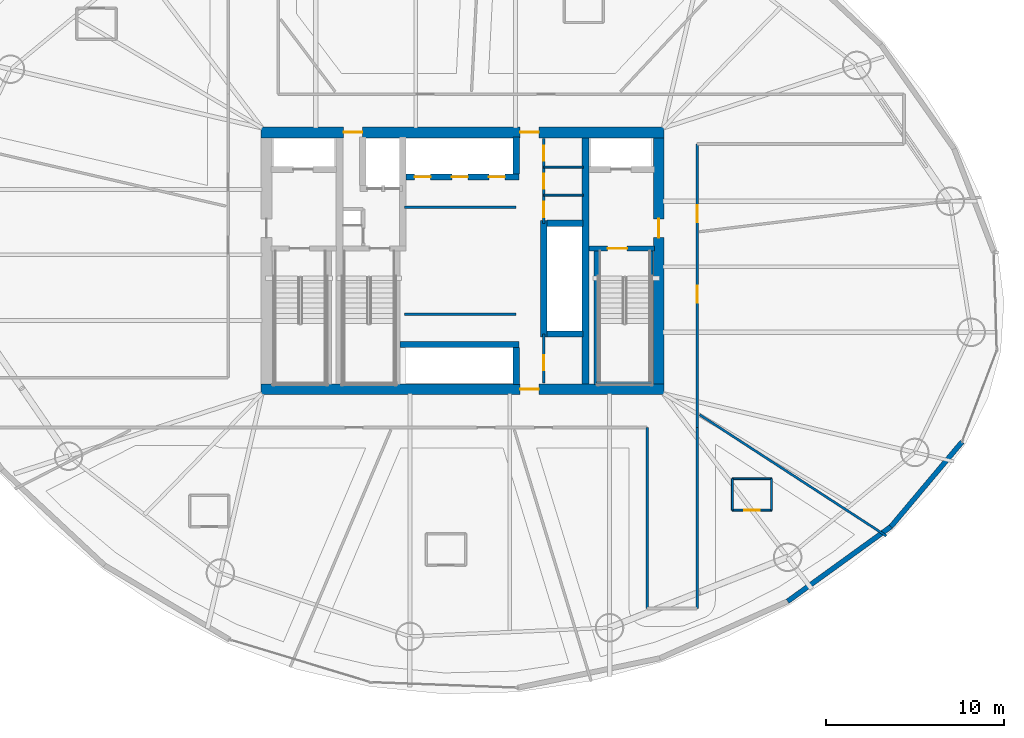
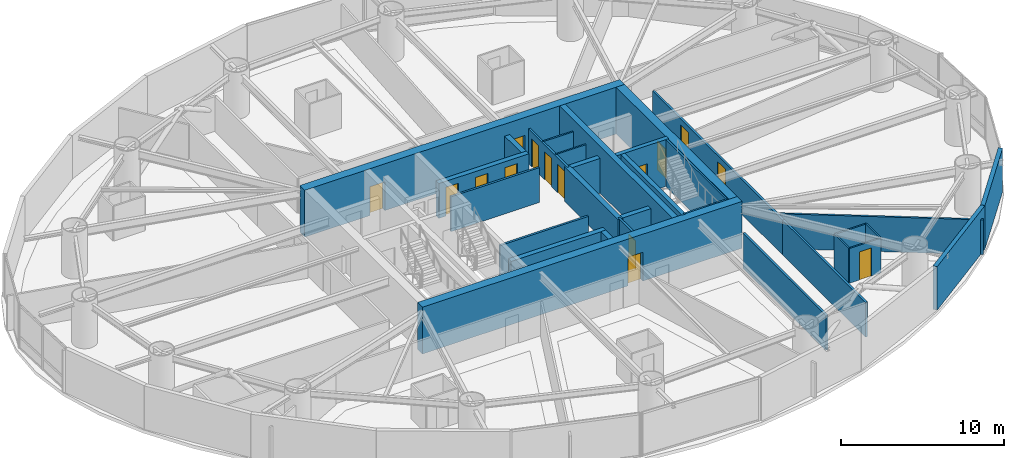
# One storey, part 22 of 27: 31 walls, 15 doors, 15 openings.
"""IFC4 building model written with IfcOpenShell, lengths in metres."""

from ifc_helpers import new_model, si_unit, direction, frame, frame_2d, origin, place, context, subcontext, project, spatial, rectangle, extrude, material, layer, layer_set, type_object, element, fill, save


model = new_model("IFC4")

# Units and contexts
model_context = context("Model", 3, precision=1e-05, world=origin(), true_north=direction((0.0, 1.0)))
body_context = subcontext(model_context, "Body", "Model", "MODEL_VIEW")
ifc_project = project(units=[si_unit("LENGTHUNIT", "METRE"), si_unit("AREAUNIT", "SQUARE_METRE"), si_unit("VOLUMEUNIT", "CUBIC_METRE"), si_unit("PLANEANGLEUNIT", "RADIAN"), si_unit("MASSUNIT", "GRAM", prefix="KILO")], contexts=[model_context])

# Site, building, storey
site_placement = place(None, origin())
site = spatial("IfcSite", under=ifc_project, at=site_placement, CompositionType="ELEMENT")
building_placement = place(site_placement, origin())
building = spatial("IfcBuilding", under=site, at=building_placement, Name="Bramvorn Convention Spire", CompositionType="ELEMENT")
storey_placement = place(building_placement, frame((0.0, 0.0, 72.89990234375)))
storey = spatial("IfcBuildingStorey", under=building, at=storey_placement, Name="L16", CompositionType="ELEMENT", Elevation=72.89990234375)

# Wall, opening, door
ifc_material_1 = material(Name="Concrete C60/70", Category="concrete")
ifc_layer_1 = layer(ifc_material_1, 0.60009765625)
ifc_layer_set_1 = layer_set([ifc_layer_1], Name="Concrete C60/70 - WL-CORE-600")
wall_type_1 = type_object("IfcWallType", Name="WL-CORE-600", PredefinedType="SHEAR", material=ifc_layer_set_1)
wall_1_placement = place(storey_placement, frame((26.699951171875, 18.800048828125, 0.0), z_axis=(0.0, 0.0, 1.0), x_axis=(1.0, 0.0, 0.0)))
wall_1 = element("IfcWall", 1, at=wall_1_placement, inside=storey, type_object=wall_type_1, Name="L16 South RC core shear wall", PredefinedType="SHEAR", context=body_context, shape_type="SweptSolid", body=[
    extrude(rectangle(XDim=22.60009765625, YDim=0.60009765625, at=frame_2d((11.300048828125, 0.0))), origin(), (0.0, 0.0, 1.0), 3.5),
])
opening_1_placement = place(wall_1_placement, frame((14.52001953125, 0.0, 0.0)))
opening_1 = element("IfcOpeningElement", 2, at=opening_1_placement, cuts=wall_1, Name="Opening DL-105", PredefinedType="OPENING", context=body_context, shape_type="SweptSolid", body=[
    extrude(rectangle(XDim=1.050048828125, YDim=2.14990234375, at=frame_2d((0.52490234375, 1.074951171875))), frame((0.0, 0.31005859375, 0.0), z_axis=(0.0, -1.0, 0.0), x_axis=(1.0, 0.0, 0.0)), (0.0, 0.0, 1.0), 0.6201171875),
])
ifc_material_2 = material(Name="Smoke-Sealed Fire Lobby Timber-Core Door", Category="wood")
door_type_1 = type_object("IfcDoorType", Name="DR-LOBBY-1050", OperationType="NOTDEFINED", PredefinedType="DOOR", material=ifc_material_2)
door_1_placement = place(opening_1_placement, origin())
door_1 = element("IfcDoor", 3, at=door_1_placement, inside=storey, type_object=door_type_1, Name="L16 South Lift Lobby fire door", OperationType="SINGLE_SWING_RIGHT", OverallHeight=2.14990234375, OverallWidth=1.050048828125, PredefinedType="DOOR", context=body_context, shape_type="SweptSolid", body=[
    extrude(rectangle(XDim=1.050048828125, YDim=2.14990234375, at=frame_2d((0.52490234375, 1.074951171875))), frame((0.0, 0.02490234375, 0.0), z_axis=(0.0, -1.0, 0.0), x_axis=(1.0, 0.0, 0.0)), (0.0, 0.0, 1.0), 0.050048828125),
])
fill(opening_1, door_1)

# Wall, openings, doors
wall_2_placement = place(storey_placement, frame((26.699951171875, 33.199951171875, 0.0), z_axis=(0.0, 0.0, 1.0), x_axis=(1.0, 0.0, 0.0)))
wall_2 = element("IfcWall", 4, at=wall_2_placement, inside=storey, type_object=wall_type_1, Name="L16 North RC core shear wall", PredefinedType="SHEAR", context=body_context, shape_type="SweptSolid", body=[
    extrude(rectangle(XDim=22.60009765625, YDim=0.60009765625, at=frame_2d((11.300048828125, 0.0))), origin(), (0.0, 0.0, 1.0), 3.5),
])
opening_2_placement = place(wall_2_placement, frame((4.6201171875, 0.0, 0.0)))
opening_2 = element("IfcOpeningElement", 5, at=opening_2_placement, cuts=wall_2, Name="Opening DL-105", PredefinedType="OPENING", context=body_context, shape_type="SweptSolid", body=[
    extrude(rectangle(XDim=1.050048828125, YDim=2.14990234375, at=frame_2d((0.52490234375, 1.074951171875))), frame((0.0, 0.31005859375, 0.0), z_axis=(0.0, -1.0, 0.0), x_axis=(1.0, 0.0, 0.0)), (0.0, 0.0, 1.0), 0.6201171875),
])
opening_3_placement = place(wall_2_placement, frame((14.52001953125, 0.0, 0.0)))
opening_3 = element("IfcOpeningElement", 6, at=opening_3_placement, cuts=wall_2, Name="Opening DL-105", PredefinedType="OPENING", context=body_context, shape_type="SweptSolid", body=[
    extrude(rectangle(XDim=1.050048828125, YDim=2.14990234375, at=frame_2d((0.52490234375, 1.074951171875))), frame((0.0, 0.31005859375, 0.0), z_axis=(0.0, -1.0, 0.0), x_axis=(1.0, 0.0, 0.0)), (0.0, 0.0, 1.0), 0.6201171875),
])
door_2_placement = place(opening_2_placement, origin())
door_2 = element("IfcDoor", 7, at=door_2_placement, inside=storey, type_object=door_type_1, Name="L16 Service & Stair ST3 Lobby north corridor door", OperationType="SINGLE_SWING_LEFT", OverallHeight=2.14990234375, OverallWidth=1.050048828125, PredefinedType="DOOR", context=body_context, shape_type="SweptSolid", body=[
    extrude(rectangle(XDim=1.050048828125, YDim=2.14990234375, at=frame_2d((0.52490234375, 1.074951171875))), frame((0.0, 0.02490234375, 0.0), z_axis=(0.0, -1.0, 0.0), x_axis=(1.0, 0.0, 0.0)), (0.0, 0.0, 1.0), 0.050048828125),
])
fill(opening_2, door_2)
door_3_placement = place(opening_3_placement, origin())
door_3 = element("IfcDoor", 8, at=door_3_placement, inside=storey, type_object=door_type_1, Name="L16 North Lift Lobby fire door", OperationType="SINGLE_SWING_LEFT", OverallHeight=2.14990234375, OverallWidth=1.050048828125, PredefinedType="DOOR", context=body_context, shape_type="SweptSolid", body=[
    extrude(rectangle(XDim=1.050048828125, YDim=2.14990234375, at=frame_2d((0.52490234375, 1.074951171875))), frame((0.0, 0.02490234375, 0.0), z_axis=(0.0, -1.0, 0.0), x_axis=(1.0, 0.0, 0.0)), (0.0, 0.0, 1.0), 0.050048828125),
])
fill(opening_3, door_3)

# Wall, opening, door
wall_3_placement = place(storey_placement, frame((49.0, 19.10009765625, 0.0), z_axis=(0.0, 0.0, 1.0), x_axis=(0.0, 1.0, 0.0)))
wall_3 = element("IfcWall", 9, at=wall_3_placement, inside=storey, type_object=wall_type_1, Name="L16 East RC core shear wall", PredefinedType="SHEAR", context=body_context, shape_type="SweptSolid", body=[
    extrude(rectangle(XDim=13.7998046875, YDim=0.60009765625, at=frame_2d((6.89990234375, 0.0))), origin(), (0.0, 0.0, 1.0), 3.5),
])
opening_4_placement = place(wall_3_placement, frame((8.199951171875, 0.0, 0.0)))
opening_4 = element("IfcOpeningElement", 10, at=opening_4_placement, cuts=wall_3, Name="Opening DL-105", PredefinedType="OPENING", context=body_context, shape_type="SweptSolid", body=[
    extrude(rectangle(XDim=1.050048828125, YDim=2.14990234375, at=frame_2d((0.52490234375, 1.074951171875))), frame((0.0, 0.31005859375, 0.0), z_axis=(0.0, -1.0, 0.0), x_axis=(1.0, 0.0, 0.0)), (0.0, 0.0, 1.0), 0.6201171875),
])
door_4_placement = place(opening_4_placement, origin())
door_4 = element("IfcDoor", 11, at=door_4_placement, inside=storey, type_object=door_type_1, Name="L16 East Firefighting Lobby corridor door", OperationType="SINGLE_SWING_LEFT", OverallHeight=2.14990234375, OverallWidth=1.050048828125, PredefinedType="DOOR", context=body_context, shape_type="SweptSolid", body=[
    extrude(rectangle(XDim=1.050048828125, YDim=2.14990234375, at=frame_2d((0.52490234375, 1.074951171875))), frame((0.0, 0.02490234375, 0.0), z_axis=(0.0, -1.0, 0.0), x_axis=(1.0, 0.0, 0.0)), (0.0, 0.0, 1.0), 0.050048828125),
])
fill(opening_4, door_4)

# Walls
ifc_material_3 = material(Name="Concrete C50/60", Category="concrete")
ifc_layer_2 = layer(ifc_material_3, 0.35009765625)
ifc_layer_set_2 = layer_set([ifc_layer_2], Name="Concrete C50/60 - WL-CORE-INT-350")
wall_type_2 = type_object("IfcWallType", Name="WL-CORE-INT-350", PredefinedType="SHEAR", material=ifc_layer_set_2)
wall_4_placement = place(storey_placement, frame((42.550048828125, 21.72998046875, 0.0), z_axis=(0.0, 0.0, 1.0), x_axis=(0.0, 1.0, 0.0)))
element("IfcWall", 12, at=wall_4_placement, inside=storey, type_object=wall_type_2, Name="L16 High-rise lift bank west wall", PredefinedType="SHEAR", context=body_context, shape_type="SweptSolid", body=[
    extrude(rectangle(XDim=6.5400390625, YDim=0.35009765625, at=frame_2d((3.27001953125, 0.0))), origin(), (0.0, 0.0, 1.0), 2.60009765625),
])
for number, where, z_axis, x_axis, name in (
    (13, (42.719970703125, 21.89990234375, 0.0), (0.0, 0.0, 1.0), (1.0, 0.0, 0.0), "L16 High-rise lift bank south wall"),
    (14, (42.719970703125, 28.10009765625, 0.0), (0.0, 0.0, 1.0), (1.0, 0.0, 0.0), "L16 High-rise lift bank north wall"),
):
    element("IfcWall", number, at=place(storey_placement, frame(where, z_axis=z_axis, x_axis=x_axis)), inside=storey, type_object=wall_type_2, Name=name, PredefinedType="SHEAR", context=body_context, shape_type="SweptSolid", body=[
        extrude(rectangle(XDim=2.030029296875, YDim=0.35009765625, at=frame_2d((1.01513671875, 0.0))), origin(), (0.0, 0.0, 1.0), 2.60009765625),
    ])

# Wall, openings, doors
wall_5_placement = place(storey_placement, frame((34.81005859375, 30.699951171875, 0.0), z_axis=(0.0, 0.0, 1.0), x_axis=(1.0, 0.0, 0.0)))
wall_5 = element("IfcWall", 15, at=wall_5_placement, inside=storey, type_object=wall_type_2, Name="L16 Low-rise bank south landing wall", PredefinedType="SHEAR", context=body_context, shape_type="SweptSolid", body=[
    extrude(rectangle(XDim=6.35986328125, YDim=0.35009765625, at=frame_2d((3.179931640625, 0.0))), origin(), (0.0, 0.0, 1.0), 2.60009765625),
])
opening_5_placement = place(wall_5_placement, frame((0.5, 0.0, 0.0)))
opening_5 = element("IfcOpeningElement", 16, at=opening_5_placement, cuts=wall_5, Name="Opening LD-090", PredefinedType="OPENING", context=body_context, shape_type="SweptSolid", body=[
    extrude(rectangle(XDim=0.89990234375, YDim=2.14990234375, at=frame_2d((0.449951171875, 1.074951171875))), frame((0.0, 0.18505859375, 0.0), z_axis=(0.0, -1.0, 0.0), x_axis=(1.0, 0.0, 0.0)), (0.0, 0.0, 1.0), 0.3701171875),
])
opening_6_placement = place(wall_5_placement, frame((2.580078125, 0.0, 0.0)))
opening_6 = element("IfcOpeningElement", 17, at=opening_6_placement, cuts=wall_5, Name="Opening LD-090", PredefinedType="OPENING", context=body_context, shape_type="SweptSolid", body=[
    extrude(rectangle(XDim=0.89990234375, YDim=2.14990234375, at=frame_2d((0.449951171875, 1.074951171875))), frame((0.0, 0.18505859375, 0.0), z_axis=(0.0, -1.0, 0.0), x_axis=(1.0, 0.0, 0.0)), (0.0, 0.0, 1.0), 0.3701171875),
])
opening_7_placement = place(wall_5_placement, frame((4.659912109375, 0.0, 0.0)))
opening_7 = element("IfcOpeningElement", 18, at=opening_7_placement, cuts=wall_5, Name="Opening LD-090", PredefinedType="OPENING", context=body_context, shape_type="SweptSolid", body=[
    extrude(rectangle(XDim=0.89990234375, YDim=2.14990234375, at=frame_2d((0.449951171875, 1.074951171875))), frame((0.0, 0.18505859375, 0.0), z_axis=(0.0, -1.0, 0.0), x_axis=(1.0, 0.0, 0.0)), (0.0, 0.0, 1.0), 0.3701171875),
])
ifc_material_4 = material(Name="Bi-Parting Fire-Rated Lift Landing Door", Category="steel")
door_type_2 = type_object("IfcDoorType", Name="DR-LIFT-LD-900", OperationType="NOTDEFINED", PredefinedType="DOOR", material=ifc_material_4)
door_5_placement = place(opening_5_placement, origin())
door_5 = element("IfcDoor", 19, at=door_5_placement, inside=storey, type_object=door_type_2, Name="L16 Lift PL1 Sliding Landing Door", OperationType="SLIDING_TO_LEFT", OverallHeight=2.14990234375, OverallWidth=0.89990234375, PredefinedType="DOOR", context=body_context, shape_type="SweptSolid", body=[
    extrude(rectangle(XDim=0.89990234375, YDim=2.14990234375, at=frame_2d((0.449951171875, 1.074951171875))), frame((0.0, 0.02490234375, 0.0), z_axis=(0.0, -1.0, 0.0), x_axis=(1.0, 0.0, 0.0)), (0.0, 0.0, 1.0), 0.050048828125),
])
fill(opening_5, door_5)
door_6_placement = place(opening_6_placement, origin())
door_6 = element("IfcDoor", 20, at=door_6_placement, inside=storey, type_object=door_type_2, Name="L16 Lift PL2 Sliding Landing Door", OperationType="SLIDING_TO_LEFT", OverallHeight=2.14990234375, OverallWidth=0.89990234375, PredefinedType="DOOR", context=body_context, shape_type="SweptSolid", body=[
    extrude(rectangle(XDim=0.89990234375, YDim=2.14990234375, at=frame_2d((0.449951171875, 1.074951171875))), frame((0.0, 0.02490234375, 0.0), z_axis=(0.0, -1.0, 0.0), x_axis=(1.0, 0.0, 0.0)), (0.0, 0.0, 1.0), 0.050048828125),
])
fill(opening_6, door_6)
door_7_placement = place(opening_7_placement, origin())
door_7 = element("IfcDoor", 21, at=door_7_placement, inside=storey, type_object=door_type_2, Name="L16 Lift PL3 Sliding Landing Door", OperationType="SLIDING_TO_LEFT", OverallHeight=2.14990234375, OverallWidth=0.89990234375, PredefinedType="DOOR", context=body_context, shape_type="SweptSolid", body=[
    extrude(rectangle(XDim=0.89990234375, YDim=2.14990234375, at=frame_2d((0.449951171875, 1.074951171875))), frame((0.0, 0.02490234375, 0.0), z_axis=(0.0, -1.0, 0.0), x_axis=(1.0, 0.0, 0.0)), (0.0, 0.0, 1.0), 0.050048828125),
])
fill(opening_7, door_7)

# Walls
wall_6_placement = place(storey_placement, frame((41.0, 30.8701171875, 0.0), z_axis=(0.0, 0.0, 1.0), x_axis=(0.0, 1.0, 0.0)))
element("IfcWall", 22, at=wall_6_placement, inside=storey, type_object=wall_type_2, Name="L16 Low-rise bank east cheek wall", PredefinedType="SHEAR", context=body_context, shape_type="SweptSolid", body=[
    extrude(rectangle(XDim=2.079833984375, YDim=0.35009765625, at=frame_2d((1.0400390625, 0.0))), origin(), (0.0, 0.0, 1.0), 2.60009765625),
])
wall_7_placement = place(storey_placement, frame((34.489990234375, 21.300048828125, 0.0), z_axis=(0.0, 0.0, 1.0), x_axis=(1.0, 0.0, 0.0)))
element("IfcWall", 23, at=wall_7_placement, inside=storey, type_object=wall_type_2, Name="L16 Mid-rise bank north landing wall", PredefinedType="SHEAR", context=body_context, shape_type="SweptSolid", body=[
    extrude(rectangle(XDim=6.679931640625, YDim=0.35009765625, at=frame_2d((3.33984375, 0.0))), origin(), (0.0, 0.0, 1.0), 2.60009765625),
])
wall_8_placement = place(storey_placement, frame((41.0, 19.050048828125, 0.0), z_axis=(0.0, 0.0, 1.0), x_axis=(0.0, 1.0, 0.0)))
element("IfcWall", 24, at=wall_8_placement, inside=storey, type_object=wall_type_2, Name="L16 Mid-rise bank east cheek wall", PredefinedType="SHEAR", context=body_context, shape_type="SweptSolid", body=[
    extrude(rectangle(XDim=2.079833984375, YDim=0.35009765625, at=frame_2d((1.0400390625, 0.0))), origin(), (0.0, 0.0, 1.0), 2.60009765625),
])
ifc_layer_3 = layer(ifc_material_1, 0.39990234375)
ifc_layer_set_3 = layer_set([ifc_layer_3], Name="Concrete C60/70 - WL-CORE-INT-400")
wall_type_3 = type_object("IfcWallType", Name="WL-CORE-INT-400", PredefinedType="SHEAR", material=ifc_layer_set_3)
wall_9_placement = place(storey_placement, frame((44.89990234375, 19.10009765625, 0.0), z_axis=(0.0, 0.0, 1.0), x_axis=(0.0, 1.0, 0.0)))
element("IfcWall", 25, at=wall_9_placement, inside=storey, type_object=wall_type_3, Name="L16 East internal core shear web", PredefinedType="SHEAR", context=body_context, shape_type="SweptSolid", body=[
    extrude(rectangle(XDim=13.7998046875, YDim=0.39990234375, at=frame_2d((6.89990234375, 0.0))), origin(), (0.0, 0.0, 1.0), 3.5),
])
ifc_material_5 = material(Name="Precast Concrete C40/50 with Bronze Terracotta Rainscreen", Category="masonry")
ifc_layer_4 = layer(ifc_material_5, 0.300048828125)
ifc_layer_set_4 = layer_set([ifc_layer_4], Name="Precast Concrete C40/50 with Bronze Terracotta Rainscreen - WL-EXT-BRONZE-300")
wall_type_4 = type_object("IfcWallType", Name="WL-EXT-BRONZE-300", PredefinedType="SOLIDWALL", material=ifc_layer_set_4)
wall_10_placement = place(storey_placement, frame((62.017578125, 11.089111328125, 0.0), z_axis=(0.0, 0.0, 1.0), x_axis=(-0.810429498951, -0.585836177809, 0.0)))
element("IfcWall", 26, at=wall_10_placement, inside=storey, type_object=wall_type_4, Name="L16 expressed bronze Gothic lancet pier wall 22", PredefinedType="SOLIDWALL", context=body_context, shape_type="SweptSolid", body=[
    extrude(rectangle(XDim=7.142822265625, YDim=0.280029296875, at=frame_2d((3.5712890625, 0.0))), origin(), (0.0, 0.0, 1.0), 3.25),
])
wall_11_placement = place(storey_placement, frame((66.01220703125, 15.84619140625, 0.0), z_axis=(0.0, 0.0, 1.0), x_axis=(-0.643067644566, -0.765809378705, 0.0)))
element("IfcWall", 27, at=wall_11_placement, inside=storey, type_object=wall_type_4, Name="L16 expressed bronze Gothic lancet pier wall 23", PredefinedType="SOLIDWALL", context=body_context, shape_type="SweptSolid", body=[
    extrude(rectangle(XDim=6.2119140625, YDim=0.280029296875, at=frame_2d((3.10595703125, 0.0))), origin(), (0.0, 0.0, 1.0), 3.25),
])
ifc_material_6 = material(Name="Lightweight En-Suite & Wet-Wall Partition", Category="gypsum")
ifc_layer_5 = layer(ifc_material_6, 0.110107421875)
ifc_layer_set_5 = layer_set([ifc_layer_5], Name="Lightweight En-Suite & Wet-Wall Partition - WL-PART-110")
wall_type_5 = type_object("IfcWallType", Name="WL-PART-110", PredefinedType="PARTITIONING", material=ifc_layer_set_5)
for number, where, z_axis, x_axis, name in (
    (28, (42.550048828125, 29.679931640625, 0.0), (0.0, 0.0, 1.0), (1.0, 0.0, 0.0), "L16 KC NE div 1"),
    (29, (42.550048828125, 31.260009765625, 0.0), (0.0, 0.0, 1.0), (1.0, 0.0, 0.0), "L16 KC NE div 2"),
):
    element("IfcWall", number, at=place(storey_placement, frame(where, z_axis=z_axis, x_axis=x_axis)), inside=storey, type_object=wall_type_5, Name=name, PredefinedType="PARTITIONING", context=body_context, shape_type="SweptSolid", body=[
        extrude(rectangle(XDim=2.199951171875, YDim=0.110107421875, at=frame_2d((1.10009765625, 0.0))), origin(), (0.0, 0.0, 1.0), 2.60009765625),
    ])

# Wall, opening, door
wall_12_placement = place(storey_placement, frame((53.12158203125, 12.017333984375, 0.0), z_axis=(0.0, 0.0, 1.0), x_axis=(1.0, 0.0, 0.0)))
wall_12 = element("IfcWall", 30, at=wall_12_placement, inside=storey, type_object=wall_type_5, Name="Hotel Suite 1608 en-suite south wall", PredefinedType="PARTITIONING", context=body_context, shape_type="SweptSolid", body=[
    extrude(rectangle(XDim=2.199951171875, YDim=0.110107421875, at=frame_2d((1.10009765625, 0.0))), origin(), (0.0, 0.0, 1.0), 2.60009765625),
])
opening_8_placement = place(wall_12_placement, frame((0.679931640625, 0.0, 0.0)))
opening_8 = element("IfcOpeningElement", 31, at=opening_8_placement, cuts=wall_12, Name="Opening DI-085", PredefinedType="OPENING", context=body_context, shape_type="SweptSolid", body=[
    extrude(rectangle(XDim=0.85009765625, YDim=2.10009765625, at=frame_2d((0.425048828125, 1.050048828125))), frame((0.0, 0.06494140625, 0.0), z_axis=(0.0, -1.0, 0.0), x_axis=(1.0, 0.0, 0.0)), (0.0, 0.0, 1.0), 0.130126953125),
])
ifc_material_7 = material(Name="En-Suite & Restroom Privacy Door", Category="wood")
door_type_3 = type_object("IfcDoorType", Name="DR-INT-850", OperationType="NOTDEFINED", PredefinedType="DOOR", material=ifc_material_7)
door_8_placement = place(opening_8_placement, origin())
door_8 = element("IfcDoor", 32, at=door_8_placement, inside=storey, type_object=door_type_3, Name="Hotel Suite 1608 En-Suite Bathroom door", OperationType="SINGLE_SWING_LEFT", OverallHeight=2.10009765625, OverallWidth=0.85009765625, PredefinedType="DOOR", context=body_context, shape_type="SweptSolid", body=[
    extrude(rectangle(XDim=0.85009765625, YDim=2.10009765625, at=frame_2d((0.425048828125, 1.050048828125))), frame((0.0, 0.02490234375, 0.0), z_axis=(0.0, -1.0, 0.0), x_axis=(1.0, 0.0, 0.0)), (0.0, 0.0, 1.0), 0.050048828125),
])
fill(opening_8, door_8)

# Walls
wall_13_placement = place(storey_placement, frame((53.12158203125, 13.77734375, 0.0), z_axis=(0.0, 0.0, 1.0), x_axis=(1.0, 0.0, 0.0)))
element("IfcWall", 33, at=wall_13_placement, inside=storey, type_object=wall_type_5, Name="Hotel Suite 1608 en-suite north wall", PredefinedType="PARTITIONING", context=body_context, shape_type="SweptSolid", body=[
    extrude(rectangle(XDim=2.199951171875, YDim=0.110107421875, at=frame_2d((1.10009765625, 0.0))), origin(), (0.0, 0.0, 1.0), 2.60009765625),
])
for number, where, z_axis, x_axis, name in (
    (34, (53.12158203125, 12.017333984375, 0.0), (0.0, 0.0, 1.0), (0.0, 1.0, 0.0), "Hotel Suite 1608 en-suite west wall"),
    (35, (55.321533203125, 12.017333984375, 0.0), (0.0, 0.0, 1.0), (0.0, 1.0, 0.0), "Hotel Suite 1608 en-suite east wall"),
):
    element("IfcWall", number, at=place(storey_placement, frame(where, z_axis=z_axis, x_axis=x_axis)), inside=storey, type_object=wall_type_5, Name=name, PredefinedType="PARTITIONING", context=body_context, shape_type="SweptSolid", body=[
        extrude(rectangle(XDim=1.760009765625, YDim=0.110107421875, at=frame_2d((0.8798828125, 0.0))), origin(), (0.0, 0.0, 1.0), 2.60009765625),
    ])
ifc_material_8 = material(Name="Metal-Stud Demountable Office Partition", Category="gypsum")
ifc_layer_6 = layer(ifc_material_8, 0.1298828125)
ifc_layer_set_6 = layer_set([ifc_layer_6], Name="Metal-Stud Demountable Office Partition - WL-PART-130")
wall_type_6 = type_object("IfcWallType", Name="WL-PART-130", PredefinedType="PARTITIONING", material=ifc_layer_set_6)
wall_14_placement = place(storey_placement, frame((51.2900390625, 17.369384765625, 0.0), z_axis=(0.0, 0.0, 1.0), x_axis=(0.838674055508, -0.544633664602, 0.0)))
element("IfcWall", 36, at=wall_14_placement, inside=storey, type_object=wall_type_6, Name="L16 Guestroom demising wall 9", PredefinedType="PARTITIONING", context=body_context, shape_type="SweptSolid", body=[
    extrude(rectangle(XDim=12.486083984375, YDim=0.1298828125, at=frame_2d((6.2431640625, 0.0))), origin(), (0.0, 0.0, 1.0), 2.60009765625),
])
ifc_material_9 = material(Name="Acoustic Metal-Stud Tenant/Corridor Partition", Category="gypsum")
ifc_layer_7 = layer(ifc_material_9, 0.14990234375)
ifc_layer_set_7 = layer_set([ifc_layer_7], Name="Acoustic Metal-Stud Tenant/Corridor Partition - WL-PART-150")
wall_type_7 = type_object("IfcWallType", Name="WL-PART-150", PredefinedType="PARTITIONING", material=ifc_layer_set_7)
for number, where, z_axis, x_axis, name in (
    (37, (34.75, 29.0, 0.0), (0.0, 0.0, 1.0), (1.0, 0.0, 0.0), "L16 Low-rise lift vestibule south wall"),
    (38, (34.75, 23.0, 0.0), (0.0, 0.0, 1.0), (1.0, 0.0, 0.0), "L16 Mid-rise lift vestibule north wall"),
):
    element("IfcWall", number, at=place(storey_placement, frame(where, z_axis=z_axis, x_axis=x_axis)), inside=storey, type_object=wall_type_7, Name=name, PredefinedType="PARTITIONING", context=body_context, shape_type="SweptSolid", body=[
        extrude(rectangle(XDim=6.25, YDim=0.14990234375, at=frame_2d((3.125, 0.0))), origin(), (0.0, 0.0, 1.0), 2.60009765625),
    ])

# Wall, openings, doors
wall_15_placement = place(storey_placement, frame((42.550048828125, 28.10009765625, 0.0), z_axis=(0.0, 0.0, 1.0), x_axis=(0.0, 1.0, 0.0)))
wall_15 = element("IfcWall", 39, at=wall_15_placement, inside=storey, type_object=wall_type_7, Name="L16 KC NE wall", PredefinedType="PARTITIONING", context=body_context, shape_type="SweptSolid", body=[
    extrude(rectangle(XDim=4.75, YDim=0.14990234375, at=frame_2d((2.375, 0.0))), origin(), (0.0, 0.0, 1.0), 2.60009765625),
])
opening_9_placement = place(wall_15_placement, frame((0.35009765625, 0.0, 0.0)))
opening_9 = element("IfcOpeningElement", 40, at=opening_9_placement, cuts=wall_15, Name="Opening DC-085", PredefinedType="OPENING", context=body_context, shape_type="SweptSolid", body=[
    extrude(rectangle(XDim=0.85009765625, YDim=2.10009765625, at=frame_2d((0.425048828125, 1.050048828125))), frame((0.0, 0.0849609375, 0.0), z_axis=(0.0, -1.0, 0.0), x_axis=(1.0, 0.0, 0.0)), (0.0, 0.0, 1.0), 0.169921875),
])
opening_10_placement = place(wall_15_placement, frame((1.929931640625, 0.0, 0.0)))
opening_10 = element("IfcOpeningElement", 41, at=opening_10_placement, cuts=wall_15, Name="Opening DC-085", PredefinedType="OPENING", context=body_context, shape_type="SweptSolid", body=[
    extrude(rectangle(XDim=0.85009765625, YDim=2.10009765625, at=frame_2d((0.425048828125, 1.050048828125))), frame((0.0, 0.0849609375, 0.0), z_axis=(0.0, -1.0, 0.0), x_axis=(1.0, 0.0, 0.0)), (0.0, 0.0, 1.0), 0.169921875),
])
opening_11_placement = place(wall_15_placement, frame((3.510009765625, 0.0, 0.0)))
opening_11 = element("IfcOpeningElement", 42, at=opening_11_placement, cuts=wall_15, Name="Opening DC-085", PredefinedType="OPENING", context=body_context, shape_type="SweptSolid", body=[
    extrude(rectangle(XDim=0.85009765625, YDim=2.10009765625, at=frame_2d((0.425048828125, 1.050048828125))), frame((0.0, 0.0849609375, 0.0), z_axis=(0.0, -1.0, 0.0), x_axis=(1.0, 0.0, 0.0)), (0.0, 0.0, 1.0), 0.169921875),
])
ifc_material_10 = material(Name="Fire-Rated Core Washroom & IDF Door", Category="wood")
door_type_4 = type_object("IfcDoorType", Name="DR-CORE-850", OperationType="NOTDEFINED", PredefinedType="DOOR", material=ifc_material_10)
door_9_placement = place(opening_9_placement, origin())
door_9 = element("IfcDoor", 43, at=door_9_placement, inside=storey, type_object=door_type_4, Name="L16 Accessible Core Restroom door", OperationType="SINGLE_SWING_LEFT", OverallHeight=2.10009765625, OverallWidth=0.85009765625, PredefinedType="DOOR", context=body_context, shape_type="SweptSolid", body=[
    extrude(rectangle(XDim=0.85009765625, YDim=2.10009765625, at=frame_2d((0.425048828125, 1.050048828125))), frame((0.0, 0.02490234375, 0.0), z_axis=(0.0, -1.0, 0.0), x_axis=(1.0, 0.0, 0.0)), (0.0, 0.0, 1.0), 0.050048828125),
])
fill(opening_9, door_9)
door_10_placement = place(opening_10_placement, origin())
door_10 = element("IfcDoor", 44, at=door_10_placement, inside=storey, type_object=door_type_4, Name="L16 Floor Housekeeping & Linen Store door", OperationType="SINGLE_SWING_LEFT", OverallHeight=2.10009765625, OverallWidth=0.85009765625, PredefinedType="DOOR", context=body_context, shape_type="SweptSolid", body=[
    extrude(rectangle(XDim=0.85009765625, YDim=2.10009765625, at=frame_2d((0.425048828125, 1.050048828125))), frame((0.0, 0.02490234375, 0.0), z_axis=(0.0, -1.0, 0.0), x_axis=(1.0, 0.0, 0.0)), (0.0, 0.0, 1.0), 0.050048828125),
])
fill(opening_10, door_10)
door_11_placement = place(opening_11_placement, origin())
door_11 = element("IfcDoor", 45, at=door_11_placement, inside=storey, type_object=door_type_4, Name="L16 Core Comms Closet door", OperationType="SINGLE_SWING_LEFT", OverallHeight=2.10009765625, OverallWidth=0.85009765625, PredefinedType="DOOR", context=body_context, shape_type="SweptSolid", body=[
    extrude(rectangle(XDim=0.85009765625, YDim=2.10009765625, at=frame_2d((0.425048828125, 1.050048828125))), frame((0.0, 0.02490234375, 0.0), z_axis=(0.0, -1.0, 0.0), x_axis=(1.0, 0.0, 0.0)), (0.0, 0.0, 1.0), 0.050048828125),
])
fill(opening_11, door_11)

# Wall, opening, door
wall_16_placement = place(storey_placement, frame((42.550048828125, 19.14990234375, 0.0), z_axis=(0.0, 0.0, 1.0), x_axis=(0.0, 1.0, 0.0)))
wall_16 = element("IfcWall", 46, at=wall_16_placement, inside=storey, type_object=wall_type_7, Name="L16 KC SE wall", PredefinedType="PARTITIONING", context=body_context, shape_type="SweptSolid", body=[
    extrude(rectangle(XDim=2.75, YDim=0.14990234375, at=frame_2d((1.375, 0.0))), origin(), (0.0, 0.0, 1.0), 2.60009765625),
])
opening_12_placement = place(wall_16_placement, frame((0.699951171875, 0.0, 0.0)))
opening_12 = element("IfcOpeningElement", 47, at=opening_12_placement, cuts=wall_16, Name="Opening DC-085", PredefinedType="OPENING", context=body_context, shape_type="SweptSolid", body=[
    extrude(rectangle(XDim=0.85009765625, YDim=2.10009765625, at=frame_2d((0.425048828125, 1.050048828125))), frame((0.0, 0.0849609375, 0.0), z_axis=(0.0, -1.0, 0.0), x_axis=(1.0, 0.0, 0.0)), (0.0, 0.0, 1.0), 0.169921875),
])
door_12_placement = place(opening_12_placement, origin())
door_12 = element("IfcDoor", 48, at=door_12_placement, inside=storey, type_object=door_type_4, Name="L16 Core Valve & Riser Room door", OperationType="SINGLE_SWING_LEFT", OverallHeight=2.10009765625, OverallWidth=0.85009765625, PredefinedType="DOOR", context=body_context, shape_type="SweptSolid", body=[
    extrude(rectangle(XDim=0.85009765625, YDim=2.10009765625, at=frame_2d((0.425048828125, 1.050048828125))), frame((0.0, 0.02490234375, 0.0), z_axis=(0.0, -1.0, 0.0), x_axis=(1.0, 0.0, 0.0)), (0.0, 0.0, 1.0), 0.050048828125),
])
fill(opening_12, door_12)

# Wall, openings, doors
wall_17_placement = place(storey_placement, frame((51.14990234375, 16.64990234375, 0.0), z_axis=(0.0, 0.0, 1.0), x_axis=(0.0, 1.0, 0.0)))
wall_17 = element("IfcWall", 49, at=wall_17_placement, inside=storey, type_object=wall_type_7, Name="L16 East ring corridor wall", PredefinedType="PARTITIONING", context=body_context, shape_type="SweptSolid", body=[
    extrude(rectangle(XDim=15.900146484375, YDim=0.14990234375, at=frame_2d((7.9501953125, 0.0))), origin(), (0.0, 0.0, 1.0), 2.60009765625),
])
opening_13_placement = place(wall_17_placement, frame((11.51220703125, 0.0, 0.0)))
opening_13 = element("IfcOpeningElement", 50, at=opening_13_placement, cuts=wall_17, Name="Opening DH-095", PredefinedType="OPENING", context=body_context, shape_type="SweptSolid", body=[
    extrude(rectangle(XDim=0.949951171875, YDim=2.14990234375, at=frame_2d((0.47509765625, 1.074951171875))), frame((0.0, 0.0849609375, 0.0), z_axis=(0.0, -1.0, 0.0), x_axis=(1.0, 0.0, 0.0)), (0.0, 0.0, 1.0), 0.169921875),
])
opening_14_placement = place(wall_17_placement, frame((7.004150390625, 0.0, 0.0)))
opening_14 = element("IfcOpeningElement", 51, at=opening_14_placement, cuts=wall_17, Name="Opening DH-095", PredefinedType="OPENING", context=body_context, shape_type="SweptSolid", body=[
    extrude(rectangle(XDim=0.949951171875, YDim=2.14990234375, at=frame_2d((0.47509765625, 1.074951171875))), frame((0.0, 0.0849609375, 0.0), z_axis=(0.0, -1.0, 0.0), x_axis=(1.0, 0.0, 0.0)), (0.0, 0.0, 1.0), 0.169921875),
])
ifc_material_11 = material(Name="Solid-Core Acoustic Guestroom Entry Door", Category="wood")
door_type_5 = type_object("IfcDoorType", Name="DR-HOTEL-950", OperationType="NOTDEFINED", PredefinedType="DOOR", material=ifc_material_11)
door_13_placement = place(opening_13_placement, origin())
door_13 = element("IfcDoor", 52, at=door_13_placement, inside=storey, type_object=door_type_5, Name="L16 Hospitality Lounge 1 door", OperationType="SINGLE_SWING_LEFT", OverallHeight=2.14990234375, OverallWidth=0.949951171875, PredefinedType="DOOR", context=body_context, shape_type="SweptSolid", body=[
    extrude(rectangle(XDim=0.949951171875, YDim=2.14990234375, at=frame_2d((0.47509765625, 1.074951171875))), frame((0.0, 0.02490234375, 0.0), z_axis=(0.0, -1.0, 0.0), x_axis=(1.0, 0.0, 0.0)), (0.0, 0.0, 1.0), 0.050048828125),
])
fill(opening_13, door_13)
door_14_placement = place(opening_14_placement, origin())
door_14 = element("IfcDoor", 53, at=door_14_placement, inside=storey, type_object=door_type_5, Name="L16 Hospitality Salon 9 door", OperationType="SINGLE_SWING_LEFT", OverallHeight=2.14990234375, OverallWidth=0.949951171875, PredefinedType="DOOR", context=body_context, shape_type="SweptSolid", body=[
    extrude(rectangle(XDim=0.949951171875, YDim=2.14990234375, at=frame_2d((0.47509765625, 1.074951171875))), frame((0.0, 0.02490234375, 0.0), z_axis=(0.0, -1.0, 0.0), x_axis=(1.0, 0.0, 0.0)), (0.0, 0.0, 1.0), 0.050048828125),
])
fill(opening_14, door_14)

# Walls
for number, where, z_axis, x_axis, name in (
    (54, (48.35009765625, 6.5, 0.0), (0.0, 0.0, 1.0), (0.0, 1.0, 0.0), "L16 SE pinwheel wing west wall"),
    (55, (51.14990234375, 6.5, 0.0), (0.0, 0.0, 1.0), (0.0, 1.0, 0.0), "L16 SE pinwheel wing east wall"),
):
    element("IfcWall", number, at=place(storey_placement, frame(where, z_axis=z_axis, x_axis=x_axis)), inside=storey, type_object=wall_type_7, Name=name, PredefinedType="PARTITIONING", context=body_context, shape_type="SweptSolid", body=[
        extrude(rectangle(XDim=10.14990234375, YDim=0.14990234375, at=frame_2d((5.074951171875, 0.0))), origin(), (0.0, 0.0, 1.0), 2.60009765625),
    ])

# Wall, opening, door
ifc_layer_8 = layer(ifc_material_3, 0.300048828125)
ifc_layer_set_8 = layer_set([ifc_layer_8], Name="Concrete C50/60 - WL-POD-STAIR-300")
wall_type_8 = type_object("IfcWallType", Name="WL-POD-STAIR-300", PredefinedType="SHEAR", material=ifc_layer_set_8)
wall_18_placement = place(storey_placement, frame((45.080078125, 26.68994140625, 0.0), z_axis=(0.0, 0.0, 1.0), x_axis=(1.0, 0.0, 0.0)))
wall_18 = element("IfcWall", 56, at=wall_18_placement, inside=storey, type_object=wall_type_8, Name="L16 ST2 north fire wall", PredefinedType="SHEAR", context=body_context, shape_type="SweptSolid", body=[
    extrude(rectangle(XDim=3.669921875, YDim=0.300048828125, at=frame_2d((1.8349609375, 0.0))), origin(), (0.0, 0.0, 1.0), 3.5),
])
opening_15_placement = place(wall_18_placement, frame((1.050048828125, 0.0, 0.0)))
opening_15 = element("IfcOpeningElement", 57, at=opening_15_placement, cuts=wall_18, Name="Opening DS-110", PredefinedType="OPENING", context=body_context, shape_type="SweptSolid", body=[
    extrude(rectangle(XDim=1.10009765625, YDim=2.14990234375, at=frame_2d((0.550048828125, 1.074951171875))), frame((0.0, 0.159912109375, 0.0), z_axis=(0.0, -1.0, 0.0), x_axis=(1.0, 0.0, 0.0)), (0.0, 0.0, 1.0), 0.320068359375),
])
ifc_material_12 = material(Name="Fire-Rated Hollow Steel Stairwell Door", Category="steel")
door_type_6 = type_object("IfcDoorType", Name="DR-STAIR-1100", OperationType="NOTDEFINED", PredefinedType="DOOR", material=ifc_material_12)
door_15_placement = place(opening_15_placement, origin())
door_15 = element("IfcDoor", 58, at=door_15_placement, inside=storey, type_object=door_type_6, Name="L16 Stair ST2 fire door", OperationType="SINGLE_SWING_RIGHT", OverallHeight=2.14990234375, OverallWidth=1.10009765625, PredefinedType="DOOR", context=body_context, shape_type="SweptSolid", body=[
    extrude(rectangle(XDim=1.10009765625, YDim=2.14990234375, at=frame_2d((0.550048828125, 1.074951171875))), frame((0.0, 0.02490234375, 0.0), z_axis=(0.0, -1.0, 0.0), x_axis=(1.0, 0.0, 0.0)), (0.0, 0.0, 1.0), 0.050048828125),
])
fill(opening_15, door_15)

# Walls
wall_19_placement = place(storey_placement, frame((45.510009765625, 19.050048828125, 0.0), z_axis=(0.0, 0.0, 1.0), x_axis=(0.0, 1.0, 0.0)))
element("IfcWall", 59, at=wall_19_placement, inside=storey, type_object=wall_type_8, Name="L16 ST2 west bearing wall", PredefinedType="SHEAR", context=body_context, shape_type="SweptSolid", body=[
    extrude(rectangle(XDim=7.5, YDim=0.300048828125, at=frame_2d((3.75, 0.0))), origin(), (0.0, 0.0, 1.0), 3.5),
])
ifc_layer_9 = layer(ifc_material_3, 0.1201171875)
ifc_layer_set_9 = layer_set([ifc_layer_9], Name="Concrete C50/60 - WL-STAIR-RC-120")
wall_type_9 = type_object("IfcWallType", Name="WL-STAIR-RC-120", PredefinedType="SHEAR", material=ifc_layer_set_9)
wall_20_placement = place(storey_placement, frame((48.60498046875, 19.10009765625, 0.0), z_axis=(0.0, 0.0, 1.0), x_axis=(0.0, 1.0, 0.0)))
element("IfcWall", 60, at=wall_20_placement, inside=storey, type_object=wall_type_9, Name="L16 ST2 east bearing shear wall", PredefinedType="SHEAR", context=body_context, shape_type="SweptSolid", body=[
    extrude(rectangle(XDim=7.449951171875, YDim=0.1201171875, at=frame_2d((3.72509765625, 0.0))), origin(), (0.0, 0.0, 1.0), 3.5),
])
wall_21_placement = place(storey_placement, frame((45.510009765625, 19.159912109375, 0.0), z_axis=(0.0, 0.0, 1.0), x_axis=(1.0, 0.0, 0.0)))
element("IfcWall", 61, at=wall_21_placement, inside=storey, type_object=wall_type_9, Name="L16 ST2 south bearing shear wall", PredefinedType="SHEAR", context=body_context, shape_type="SweptSolid", body=[
    extrude(rectangle(XDim=3.094970703125, YDim=0.1201171875, at=frame_2d((1.54736328125, 0.0))), origin(), (0.0, 0.0, 1.0), 3.5),
])

save(model, "model.ifc")
